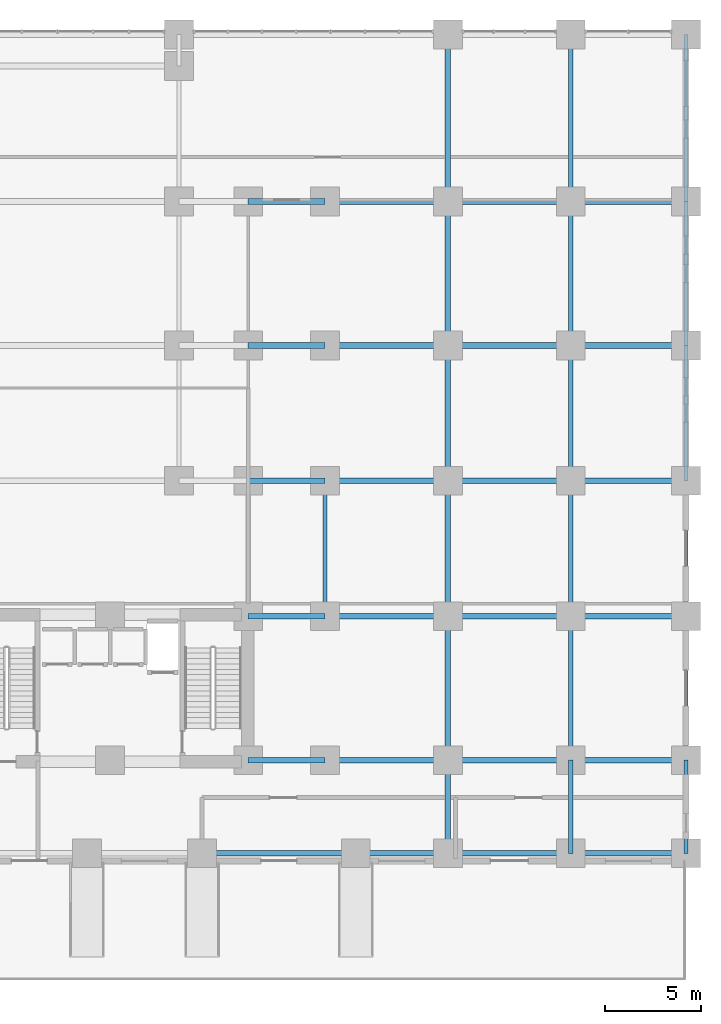
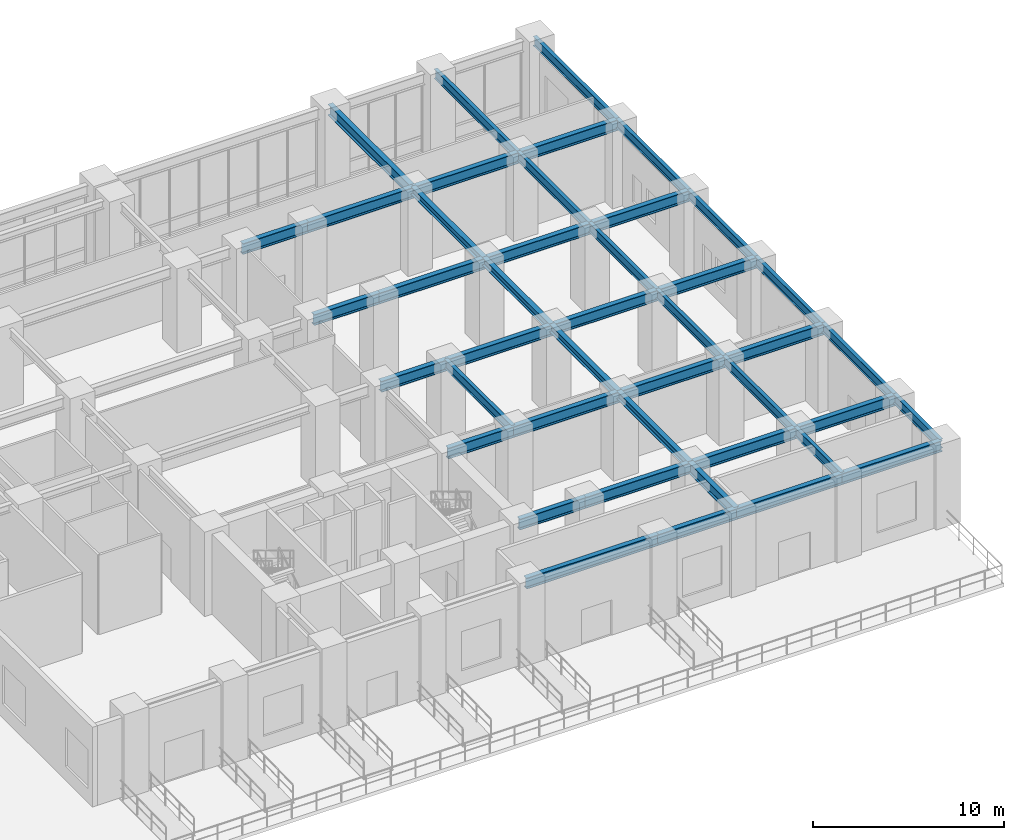
# One storey, part 9 of 22: 43 beams.
"""IFC4 building model written with IfcOpenShell, lengths in metres."""

from ifc_helpers import new_model, si_unit, direction, frame, origin, origin_2d, place, context, subcontext, project, spatial, i_section, extrude, source, transform, mapped, material, material_profile, profile_set, type_object, element, save


model = new_model("IFC4")

# Units and contexts
model_context = context("Model", 3, precision=1e-05, world=origin(), true_north=direction((0.0, 1.0)))
body_context = subcontext(model_context, "Body", "Model", "MODEL_VIEW")
ifc_project = project(units=[si_unit("LENGTHUNIT", "METRE"), si_unit("AREAUNIT", "SQUARE_METRE"), si_unit("VOLUMEUNIT", "CUBIC_METRE"), si_unit("PLANEANGLEUNIT", "RADIAN"), si_unit("MASSUNIT", "GRAM", prefix="KILO")], contexts=[model_context])

# Site, building, storey
site_placement = place(None, origin())
site = spatial("IfcSite", under=ifc_project, at=site_placement, CompositionType="ELEMENT")
building_placement = place(site_placement, origin())
building = spatial("IfcBuilding", under=site, at=building_placement, Name="Kaliganga Portal Commons", CompositionType="ELEMENT")
storey_placement = place(building_placement, origin())
storey = spatial("IfcBuildingStorey", under=building, at=storey_placement, Name="L00", CompositionType="ELEMENT", Elevation=0.0)

# Beams
ifc_material = material(Name="Structural steel S355J2", Category="steel")
ifc_material_profile_1 = material_profile(ifc_material, i_section(OverallWidth=0.219970703125, OverallDepth=0.60009765625, WebThickness=0.011962890625, FlangeThickness=0.01904296875, FilletRadius=0.02392578125, at=origin_2d()), Name="IPE 600")
ifc_profile_set_1 = profile_set([ifc_material_profile_1], Name="Structural steel S355J2 wide-flange")
beam_type_1 = type_object("IfcBeamType", Name="BM-FLR-600", PredefinedType="BEAM", material=ifc_profile_set_1)
shared_shape_1 = source(origin(), body_context, "Body", "SweptSolid", [
    extrude(i_section(OverallWidth=0.219970703125, OverallDepth=0.60009765625, WebThickness=0.011962890625, FlangeThickness=0.01904296875, FilletRadius=0.02392578125, at=origin_2d()), origin(), (0.0, 0.0, 1.0), 7.5),
])
for number, where, z_axis, x_axis, name in (
    (1, (67.199951171875, 7.050048828125, 4.820068359375), (0.0, 1.0, 0.0), (-1.0, 0.0, 0.0), "BM PODE L00 X67 2"),
    (2, (67.199951171875, 28.64990234375, 4.820068359375), (0.0, 1.0, 0.0), (-1.0, 0.0, 0.0), "BM PODE L00 X67 5"),
    (3, (73.199951171875, 7.050048828125, 4.820068359375), (0.0, 1.0, 0.0), (-1.0, 0.0, 0.0), "BM PODE L00 X73 2"),
    (4, (73.199951171875, 28.64990234375, 4.820068359375), (0.0, 1.0, 0.0), (-1.0, 0.0, 0.0), "BM PODE L00 X73 5"),
):
    element("IfcBeam", number, at=place(storey_placement, frame(where, z_axis=z_axis, x_axis=x_axis)), inside=storey, type_object=beam_type_1, Name=name, PredefinedType="BEAM", context=body_context, shape_type="MappedRepresentation", body=[
        mapped(shared_shape_1, transform((0.0, 0.0, 0.0), x_axis=(1.0, 0.0, 0.0), y_axis=(0.0, 1.0, 0.0), z_axis=(0.0, 0.0, 1.0), scale=1.0)),
    ])
shared_shape_2 = source(origin(), body_context, "Body", "SweptSolid", [
    extrude(i_section(OverallWidth=0.219970703125, OverallDepth=0.60009765625, WebThickness=0.011962890625, FlangeThickness=0.01904296875, FilletRadius=0.02392578125, at=origin_2d()), origin(), (0.0, 0.0, 1.0), 7.050048828125),
])
for number, where, z_axis, x_axis, name in (
    (5, (54.39990234375, 14.550048828125, 4.820068359375), (0.0, 1.0, 0.0), (-1.0, 0.0, 0.0), "BM G L00 BNK544"),
    (6, (67.199951171875, 14.550048828125, 4.820068359375), (0.0, 1.0, 0.0), (-1.0, 0.0, 0.0), "BM PODE L00 X67 3"),
    (7, (73.199951171875, 14.550048828125, 4.820068359375), (0.0, 1.0, 0.0), (-1.0, 0.0, 0.0), "BM PODE L00 X73 3"),
):
    element("IfcBeam", number, at=place(storey_placement, frame(where, z_axis=z_axis, x_axis=x_axis)), inside=storey, type_object=beam_type_1, Name=name, PredefinedType="BEAM", context=body_context, shape_type="MappedRepresentation", body=[
        mapped(shared_shape_2, transform((0.0, 0.0, 0.0), x_axis=(1.0, 0.0, 0.0), y_axis=(0.0, 1.0, 0.0), z_axis=(0.0, 0.0, 1.0), scale=1.0)),
    ])
shared_shape_3 = source(origin(), body_context, "Body", "SweptSolid", [
    extrude(i_section(OverallWidth=0.219970703125, OverallDepth=0.60009765625, WebThickness=0.011962890625, FlangeThickness=0.01904296875, FilletRadius=0.02392578125, at=origin_2d()), origin(), (0.0, 0.0, 1.0), 7.0498046875),
])
for number, where, z_axis, x_axis, name in (
    (8, (67.199951171875, 21.60009765625, 4.820068359375), (0.0, 1.0, 0.0), (-1.0, 0.0, 0.0), "BM PODE L00 X67 4"),
    (9, (73.199951171875, 21.60009765625, 4.820068359375), (0.0, 1.0, 0.0), (-1.0, 0.0, 0.0), "BM PODE L00 X73 4"),
):
    element("IfcBeam", number, at=place(storey_placement, frame(where, z_axis=z_axis, x_axis=x_axis)), inside=storey, type_object=beam_type_1, Name=name, PredefinedType="BEAM", context=body_context, shape_type="MappedRepresentation", body=[
        mapped(shared_shape_3, transform((0.0, 0.0, 0.0), x_axis=(1.0, 0.0, 0.0), y_axis=(0.0, 1.0, 0.0), z_axis=(0.0, 0.0, 1.0), scale=1.0)),
    ])
ifc_material_profile_2 = material_profile(ifc_material, i_section(OverallWidth=0.300048828125, OverallDepth=0.699951171875, WebThickness=0.01708984375, FlangeThickness=0.031982421875, FilletRadius=0.027099609375, at=origin_2d()), Name="HE 700 B")
ifc_profile_set_2 = profile_set([ifc_material_profile_2], Name="Structural steel S355J2 wide-flange")
beam_type_2 = type_object("IfcBeamType", Name="BM-GIRD-700", PredefinedType="USERDEFINED", material=ifc_profile_set_2)
shared_shape_4 = source(origin(), body_context, "Body", "SweptSolid", [
    extrude(i_section(OverallWidth=0.300048828125, OverallDepth=0.699951171875, WebThickness=0.01708984375, FlangeThickness=0.031982421875, FilletRadius=0.027099609375, at=origin_2d()), origin(), (0.0, 0.0, 1.0), 4.0),
])
for number, where, z_axis, x_axis, name in (
    (10, (50.39990234375, 7.050048828125, 4.77001953125), (1.0, 0.0, 0.0), (0.0, 1.0, 0.0), "BM G L00 BKE70 1"),
    (11, (50.39990234375, 14.550048828125, 4.77001953125), (1.0, 0.0, 0.0), (0.0, 1.0, 0.0), "BM G L00 BKE146 1"),
    (12, (50.39990234375, 21.60009765625, 4.77001953125), (1.0, 0.0, 0.0), (0.0, 1.0, 0.0), "BM G L00 BKE216 2"),
    (13, (50.39990234375, 28.64990234375, 4.77001953125), (1.0, 0.0, 0.0), (0.0, 1.0, 0.0), "BM G L00 BKE286 2"),
    (14, (50.39990234375, 36.14990234375, 4.77001953125), (1.0, 0.0, 0.0), (0.0, 1.0, 0.0), "BM G L00 BKE362 2"),
):
    element("IfcBeam", number, at=place(storey_placement, frame(where, z_axis=z_axis, x_axis=x_axis)), inside=storey, type_object=beam_type_2, Name=name, ObjectType="GIRDER", PredefinedType="USERDEFINED", context=body_context, shape_type="MappedRepresentation", body=[
        mapped(shared_shape_4, transform((0.0, 0.0, 0.0), x_axis=(1.0, 0.0, 0.0), y_axis=(0.0, 1.0, 0.0), z_axis=(0.0, 0.0, 1.0), scale=1.0)),
    ])
shared_shape_5 = source(origin(), body_context, "Body", "SweptSolid", [
    extrude(i_section(OverallWidth=0.300048828125, OverallDepth=0.699951171875, WebThickness=0.01708984375, FlangeThickness=0.031982421875, FilletRadius=0.027099609375, at=origin_2d()), origin(), (0.0, 0.0, 1.0), 6.400146484375),
])
for number, where, z_axis, x_axis, name in (
    (15, (54.39990234375, 7.050048828125, 4.77001953125), (1.0, 0.0, 0.0), (0.0, 1.0, 0.0), "BM G L00 BKE70 2"),
    (16, (54.39990234375, 14.550048828125, 4.77001953125), (1.0, 0.0, 0.0), (0.0, 1.0, 0.0), "BM G L00 BKE146 2"),
    (17, (54.39990234375, 21.60009765625, 4.77001953125), (1.0, 0.0, 0.0), (0.0, 1.0, 0.0), "BM G L00 BKE216 3"),
    (18, (54.39990234375, 28.64990234375, 4.77001953125), (1.0, 0.0, 0.0), (0.0, 1.0, 0.0), "BM G L00 BKE286 3"),
    (19, (54.39990234375, 36.14990234375, 4.77001953125), (1.0, 0.0, 0.0), (0.0, 1.0, 0.0), "BM G L00 BKE362 3"),
):
    element("IfcBeam", number, at=place(storey_placement, frame(where, z_axis=z_axis, x_axis=x_axis)), inside=storey, type_object=beam_type_2, Name=name, ObjectType="GIRDER", PredefinedType="USERDEFINED", context=body_context, shape_type="MappedRepresentation", body=[
        mapped(shared_shape_5, transform((0.0, 0.0, 0.0), x_axis=(1.0, 0.0, 0.0), y_axis=(0.0, 1.0, 0.0), z_axis=(0.0, 0.0, 1.0), scale=1.0)),
    ])
shared_shape_6 = source(origin(), body_context, "Body", "SweptSolid", [
    extrude(i_section(OverallWidth=0.300048828125, OverallDepth=0.699951171875, WebThickness=0.01708984375, FlangeThickness=0.031982421875, FilletRadius=0.027099609375, at=origin_2d()), origin(), (0.0, 0.0, 1.0), 8.7001953125),
])
beam_1_placement = place(storey_placement, frame((60.800048828125, 36.14990234375, 4.77001953125), z_axis=(0.0, 1.0, 0.0), x_axis=(-1.0, 0.0, 0.0)))
element("IfcBeam", 20, at=beam_1_placement, inside=storey, type_object=beam_type_2, Name="BM PODP L00 E60 6", ObjectType="GIRDER", PredefinedType="USERDEFINED", context=body_context, shape_type="MappedRepresentation", body=[
    mapped(shared_shape_6, transform((0.0, 0.0, 0.0), x_axis=(1.0, 0.0, 0.0), y_axis=(0.0, 1.0, 0.0), z_axis=(0.0, 0.0, 1.0), scale=1.0)),
])
shared_shape_7 = source(origin(), body_context, "Body", "SweptSolid", [
    extrude(i_section(OverallWidth=0.300048828125, OverallDepth=0.699951171875, WebThickness=0.01708984375, FlangeThickness=0.031982421875, FilletRadius=0.027099609375, at=origin_2d()), origin(), (0.0, 0.0, 1.0), 4.85009765625),
])
beam_2_placement = place(storey_placement, frame((60.800048828125, 2.199951171875, 4.77001953125), z_axis=(0.0, 1.0, 0.0), x_axis=(-1.0, 0.0, 0.0)))
element("IfcBeam", 21, at=beam_2_placement, inside=storey, type_object=beam_type_2, Name="BM PODP L00 E60 1", ObjectType="GIRDER", PredefinedType="USERDEFINED", context=body_context, shape_type="MappedRepresentation", body=[
    mapped(shared_shape_7, transform((0.0, 0.0, 0.0), x_axis=(1.0, 0.0, 0.0), y_axis=(0.0, 1.0, 0.0), z_axis=(0.0, 0.0, 1.0), scale=1.0)),
])
shared_shape_8 = source(origin(), body_context, "Body", "SweptSolid", [
    extrude(i_section(OverallWidth=0.300048828125, OverallDepth=0.699951171875, WebThickness=0.01708984375, FlangeThickness=0.031982421875, FilletRadius=0.027099609375, at=origin_2d()), origin(), (0.0, 0.0, 1.0), 6.0),
])
for number, where, z_axis, x_axis, name in (
    (22, (67.199951171875, 2.199951171875, 4.77001953125), (1.0, 0.0, 0.0), (0.0, 1.0, 0.0), "BM PODE L00 Y2 2"),
    (23, (67.199951171875, 7.050048828125, 4.77001953125), (1.0, 0.0, 0.0), (0.0, 1.0, 0.0), "BM PODE L00 Y7 2"),
    (24, (67.199951171875, 14.550048828125, 4.77001953125), (1.0, 0.0, 0.0), (0.0, 1.0, 0.0), "BM PODE L00 Y14 2"),
    (25, (67.199951171875, 21.60009765625, 4.77001953125), (1.0, 0.0, 0.0), (0.0, 1.0, 0.0), "BM PODE L00 Y21 2"),
    (26, (67.199951171875, 28.64990234375, 4.77001953125), (1.0, 0.0, 0.0), (0.0, 1.0, 0.0), "BM PODE L00 Y28 2"),
    (27, (67.199951171875, 36.14990234375, 4.77001953125), (1.0, 0.0, 0.0), (0.0, 1.0, 0.0), "BM PODE L00 Y36 2"),
):
    element("IfcBeam", number, at=place(storey_placement, frame(where, z_axis=z_axis, x_axis=x_axis)), inside=storey, type_object=beam_type_2, Name=name, ObjectType="GIRDER", PredefinedType="USERDEFINED", context=body_context, shape_type="MappedRepresentation", body=[
        mapped(shared_shape_8, transform((0.0, 0.0, 0.0), x_axis=(1.0, 0.0, 0.0), y_axis=(0.0, 1.0, 0.0), z_axis=(0.0, 0.0, 1.0), scale=1.0)),
    ])
shared_shape_9 = source(origin(), body_context, "Body", "SweptSolid", [
    extrude(i_section(OverallWidth=0.300048828125, OverallDepth=0.699951171875, WebThickness=0.01708984375, FlangeThickness=0.031982421875, FilletRadius=0.027099609375, at=origin_2d()), origin(), (0.0, 0.0, 1.0), 8.0),
])
beam_3_placement = place(storey_placement, frame((48.0, 2.199951171875, 4.77001953125), z_axis=(1.0, 0.0, 0.0), x_axis=(0.0, 1.0, 0.0)))
element("IfcBeam", 28, at=beam_3_placement, inside=storey, type_object=beam_type_2, Name="BM PODP L00 S02 5", ObjectType="GIRDER", PredefinedType="USERDEFINED", context=body_context, shape_type="MappedRepresentation", body=[
    mapped(shared_shape_9, transform((0.0, 0.0, 0.0), x_axis=(1.0, 0.0, 0.0), y_axis=(0.0, 1.0, 0.0), z_axis=(0.0, 0.0, 1.0), scale=1.0)),
])
shared_shape_10 = source(origin(), body_context, "Body", "SweptSolid", [
    extrude(i_section(OverallWidth=0.300048828125, OverallDepth=0.699951171875, WebThickness=0.01708984375, FlangeThickness=0.031982421875, FilletRadius=0.027099609375, at=origin_2d()), origin(), (0.0, 0.0, 1.0), 4.800048828125),
])
beam_4_placement = place(storey_placement, frame((56.0, 2.199951171875, 4.77001953125), z_axis=(1.0, 0.0, 0.0), x_axis=(0.0, 1.0, 0.0)))
element("IfcBeam", 29, at=beam_4_placement, inside=storey, type_object=beam_type_2, Name="BM PODP L00 S02 6", ObjectType="GIRDER", PredefinedType="USERDEFINED", context=body_context, shape_type="MappedRepresentation", body=[
    mapped(shared_shape_10, transform((0.0, 0.0, 0.0), x_axis=(1.0, 0.0, 0.0), y_axis=(0.0, 1.0, 0.0), z_axis=(0.0, 0.0, 1.0), scale=1.0)),
])
shared_shape_11 = source(origin(), body_context, "Body", "SweptSolid", [
    extrude(i_section(OverallWidth=0.219970703125, OverallDepth=0.60009765625, WebThickness=0.011962890625, FlangeThickness=0.01904296875, FilletRadius=0.02392578125, at=origin_2d()), origin(), (0.0, 0.0, 1.0), 4.85009765625),
])
for number, where, z_axis, x_axis, name in (
    (30, (67.199951171875, 2.199951171875, 4.820068359375), (0.0, 1.0, 0.0), (-1.0, 0.0, 0.0), "BM PODE L00 X67 1"),
    (31, (73.199951171875, 2.199951171875, 4.820068359375), (0.0, 1.0, 0.0), (-1.0, 0.0, 0.0), "BM PODE L00 X73 1"),
):
    element("IfcBeam", number, at=place(storey_placement, frame(where, z_axis=z_axis, x_axis=x_axis)), inside=storey, type_object=beam_type_1, Name=name, PredefinedType="BEAM", context=body_context, shape_type="MappedRepresentation", body=[
        mapped(shared_shape_11, transform((0.0, 0.0, 0.0), x_axis=(1.0, 0.0, 0.0), y_axis=(0.0, 1.0, 0.0), z_axis=(0.0, 0.0, 1.0), scale=1.0)),
    ])
shared_shape_12 = source(origin(), body_context, "Body", "SweptSolid", [
    extrude(i_section(OverallWidth=0.300048828125, OverallDepth=0.699951171875, WebThickness=0.01708984375, FlangeThickness=0.031982421875, FilletRadius=0.027099609375, at=origin_2d()), origin(), (0.0, 0.0, 1.0), 6.39990234375),
])
for number, where, z_axis, x_axis, name in (
    (32, (60.800048828125, 2.199951171875, 4.77001953125), (1.0, 0.0, 0.0), (0.0, 1.0, 0.0), "BM PODE L00 Y2 1"),
    (33, (60.800048828125, 7.050048828125, 4.77001953125), (1.0, 0.0, 0.0), (0.0, 1.0, 0.0), "BM PODE L00 Y7 1"),
    (34, (60.800048828125, 14.550048828125, 4.77001953125), (1.0, 0.0, 0.0), (0.0, 1.0, 0.0), "BM PODE L00 Y14 1"),
    (35, (60.800048828125, 21.60009765625, 4.77001953125), (1.0, 0.0, 0.0), (0.0, 1.0, 0.0), "BM PODE L00 Y21 1"),
    (36, (60.800048828125, 28.64990234375, 4.77001953125), (1.0, 0.0, 0.0), (0.0, 1.0, 0.0), "BM PODE L00 Y28 1"),
    (37, (60.800048828125, 36.14990234375, 4.77001953125), (1.0, 0.0, 0.0), (0.0, 1.0, 0.0), "BM PODE L00 Y36 1"),
):
    element("IfcBeam", number, at=place(storey_placement, frame(where, z_axis=z_axis, x_axis=x_axis)), inside=storey, type_object=beam_type_2, Name=name, ObjectType="GIRDER", PredefinedType="USERDEFINED", context=body_context, shape_type="MappedRepresentation", body=[
        mapped(shared_shape_12, transform((0.0, 0.0, 0.0), x_axis=(1.0, 0.0, 0.0), y_axis=(0.0, 1.0, 0.0), z_axis=(0.0, 0.0, 1.0), scale=1.0)),
    ])
shared_shape_13 = source(origin(), body_context, "Body", "SweptSolid", [
    extrude(i_section(OverallWidth=0.219970703125, OverallDepth=0.60009765625, WebThickness=0.011962890625, FlangeThickness=0.01904296875, FilletRadius=0.02392578125, at=origin_2d()), origin(), (0.0, 0.0, 1.0), 8.7001953125),
])
for number, where, z_axis, x_axis, name in (
    (38, (67.199951171875, 36.14990234375, 4.820068359375), (0.0, 1.0, 0.0), (-1.0, 0.0, 0.0), "BM PODE L00 X67 6"),
    (39, (73.199951171875, 36.14990234375, 4.820068359375), (0.0, 1.0, 0.0), (-1.0, 0.0, 0.0), "BM PODE L00 X73 6"),
):
    element("IfcBeam", number, at=place(storey_placement, frame(where, z_axis=z_axis, x_axis=x_axis)), inside=storey, type_object=beam_type_1, Name=name, PredefinedType="BEAM", context=body_context, shape_type="MappedRepresentation", body=[
        mapped(shared_shape_13, transform((0.0, 0.0, 0.0), x_axis=(1.0, 0.0, 0.0), y_axis=(0.0, 1.0, 0.0), z_axis=(0.0, 0.0, 1.0), scale=1.0)),
    ])
ifc_material_profile_3 = material_profile(ifc_material, i_section(OverallWidth=0.300048828125, OverallDepth=0.5, WebThickness=0.014404296875, FlangeThickness=0.028076171875, FilletRadius=0.027099609375, at=origin_2d()), Name="HE 500 B")
ifc_profile_set_3 = profile_set([ifc_material_profile_3], Name="Structural steel S355J2 wide-flange")
beam_type_3 = type_object("IfcBeamType", Name="BM-SPAND-500", PredefinedType="SPANDREL", material=ifc_profile_set_3)
shared_shape_14 = source(origin(), body_context, "Body", "SweptSolid", [
    extrude(i_section(OverallWidth=0.300048828125, OverallDepth=0.5, WebThickness=0.014404296875, FlangeThickness=0.028076171875, FilletRadius=0.027099609375, at=origin_2d()), origin(), (0.0, 0.0, 1.0), 7.5),
])
for number, where, z_axis, x_axis, name in (
    (40, (60.800048828125, 7.050048828125, 4.8701171875), (0.0, 1.0, 0.0), (-1.0, 0.0, 0.0), "BM SP L00 BE 1"),
    (41, (60.800048828125, 28.64990234375, 4.8701171875), (0.0, 1.0, 0.0), (-1.0, 0.0, 0.0), "BM SP L00 BE 4"),
):
    element("IfcBeam", number, at=place(storey_placement, frame(where, z_axis=z_axis, x_axis=x_axis)), inside=storey, type_object=beam_type_3, Name=name, PredefinedType="SPANDREL", context=body_context, shape_type="MappedRepresentation", body=[
        mapped(shared_shape_14, transform((0.0, 0.0, 0.0), x_axis=(1.0, 0.0, 0.0), y_axis=(0.0, 1.0, 0.0), z_axis=(0.0, 0.0, 1.0), scale=1.0)),
    ])
shared_shape_15 = source(origin(), body_context, "Body", "SweptSolid", [
    extrude(i_section(OverallWidth=0.300048828125, OverallDepth=0.5, WebThickness=0.014404296875, FlangeThickness=0.028076171875, FilletRadius=0.027099609375, at=origin_2d()), origin(), (0.0, 0.0, 1.0), 7.050048828125),
])
beam_5_placement = place(storey_placement, frame((60.800048828125, 14.550048828125, 4.8701171875), z_axis=(0.0, 1.0, 0.0), x_axis=(-1.0, 0.0, 0.0)))
element("IfcBeam", 42, at=beam_5_placement, inside=storey, type_object=beam_type_3, Name="BM SP L00 BE 2", PredefinedType="SPANDREL", context=body_context, shape_type="MappedRepresentation", body=[
    mapped(shared_shape_15, transform((0.0, 0.0, 0.0), x_axis=(1.0, 0.0, 0.0), y_axis=(0.0, 1.0, 0.0), z_axis=(0.0, 0.0, 1.0), scale=1.0)),
])
shared_shape_16 = source(origin(), body_context, "Body", "SweptSolid", [
    extrude(i_section(OverallWidth=0.300048828125, OverallDepth=0.5, WebThickness=0.014404296875, FlangeThickness=0.028076171875, FilletRadius=0.027099609375, at=origin_2d()), origin(), (0.0, 0.0, 1.0), 7.0498046875),
])
beam_6_placement = place(storey_placement, frame((60.800048828125, 21.60009765625, 4.8701171875), z_axis=(0.0, 1.0, 0.0), x_axis=(-1.0, 0.0, 0.0)))
element("IfcBeam", 43, at=beam_6_placement, inside=storey, type_object=beam_type_3, Name="BM SP L00 BE 3", PredefinedType="SPANDREL", context=body_context, shape_type="MappedRepresentation", body=[
    mapped(shared_shape_16, transform((0.0, 0.0, 0.0), x_axis=(1.0, 0.0, 0.0), y_axis=(0.0, 1.0, 0.0), z_axis=(0.0, 0.0, 1.0), scale=1.0)),
])

save(model, "model.ifc")
